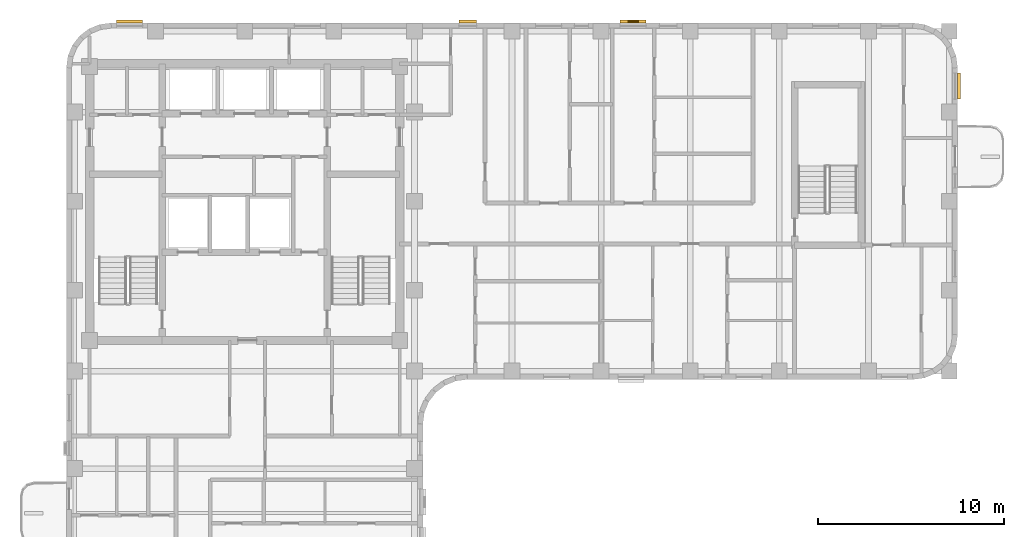
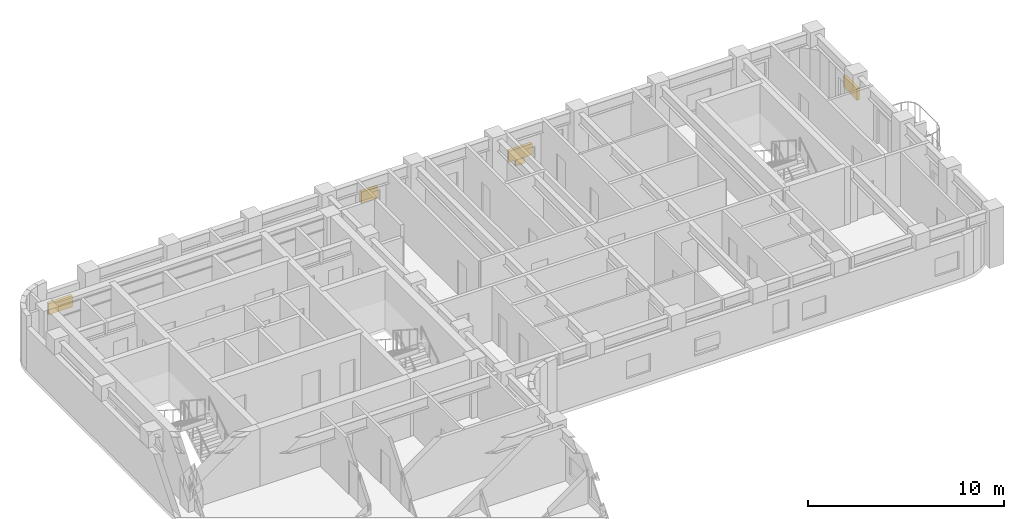
# One storey, part 10 of 10: 5 shading devices.
"""IFC4 building model written with IfcOpenShell, lengths in metres."""

from ifc_helpers import new_model, si_unit, direction, frame, origin, origin_2d, place, context, subcontext, project, spatial, rectangle, extrude, material, type_object, element, save


model = new_model("IFC4")

# Units and contexts
model_context = context("Model", 3, precision=1e-05, world=origin(), true_north=direction((0.0, 1.0)))
body_context = subcontext(model_context, "Body", "Model", "MODEL_VIEW")
ifc_project = project(units=[si_unit("LENGTHUNIT", "METRE"), si_unit("AREAUNIT", "SQUARE_METRE"), si_unit("VOLUMEUNIT", "CUBIC_METRE"), si_unit("PLANEANGLEUNIT", "RADIAN"), si_unit("MASSUNIT", "GRAM", prefix="KILO")], contexts=[model_context])

# Site, building, storey
site_placement = place(None, origin())
site = spatial("IfcSite", under=ifc_project, at=site_placement, CompositionType="ELEMENT")
building_placement = place(site_placement, origin())
building = spatial("IfcBuilding", under=site, at=building_placement, Name="Orvandelia Arch Residences", CompositionType="ELEMENT")
storey_placement = place(building_placement, frame((0.0, 0.0, 218.199951171875)))
storey = spatial("IfcBuildingStorey", under=building, at=storey_placement, Name="L57", CompositionType="ELEMENT", Elevation=218.199951171875)

# Shading devices
ifc_material_1 = material(Name="Anodised Champagne-Bronze Extruded Aluminium", Category="aluminium")
shading_device_type_1 = type_object("IfcShadingDeviceType", Name="SHD-JALOUSIE-SCREEN", PredefinedType="JALOUSIE", material=ifc_material_1)
shading_device_1_placement = place(storey_placement, frame((26.4150390625, 48.080078125, 1.55029296875), z_axis=(0.0, 0.0, 1.0), x_axis=(1.0, 0.0, 0.0)))
element("IfcShadingDevice", 1, at=shading_device_1_placement, inside=storey, type_object=shading_device_type_1, Name="Bronze Jalousie Sun-Shade L57-001", PredefinedType="JALOUSIE", context=body_context, shape_type="SweptSolid", body=[
    extrude(rectangle(XDim=0.949951171875, YDim=0.159912109375, at=origin_2d()), origin(), (0.0, 0.0, 1.0), 0.699951171875),
])
for number, where, z_axis, x_axis, name in (
    (2, (8.20751953125, 48.080078125, 1.05029296875), (0.0, 0.0, 1.0), (1.0, 0.0, 0.0), "Bronze Jalousie Sun-Shade L57-002"),
    (3, (35.330078125, 48.080078125, 1.05029296875), (0.0, 0.0, 1.0), (1.0, 0.0, 0.0), "Bronze Jalousie Sun-Shade L57-003"),
    (4, (52.8798828125, 44.592529296875, 1.05029296875), (0.0, 0.0, 1.0), (0.0, -1.0, 0.0), "Bronze Jalousie Sun-Shade L57-004"),
):
    element("IfcShadingDevice", number, at=place(storey_placement, frame(where, z_axis=z_axis, x_axis=x_axis)), inside=storey, type_object=shading_device_type_1, Name=name, PredefinedType="JALOUSIE", context=body_context, shape_type="SweptSolid", body=[
        extrude(rectangle(XDim=1.39990234375, YDim=0.159912109375, at=origin_2d()), origin(), (0.0, 0.0, 1.0), 0.699951171875),
    ])
ifc_material_2 = material(Name="Marine-Grade Perforated Aluminium Storm Shutter", Category="aluminium")
shading_device_type_2 = type_object("IfcShadingDeviceType", Name="SHD-STORM-SHUTTER", PredefinedType="SHUTTER", material=ifc_material_2)
shading_device_2_placement = place(storey_placement, frame((35.330078125, 48.080078125, 0.64990234375), z_axis=(0.0, 0.0, 1.0), x_axis=(1.0, 0.0, 0.0)))
element("IfcShadingDevice", 5, at=shading_device_2_placement, inside=storey, type_object=shading_device_type_2, Name="Operable Typhoon Storm Shutter L57-003", PredefinedType="SHUTTER", context=body_context, shape_type="SweptSolid", body=[
    extrude(rectangle(XDim=0.550048828125, YDim=0.080078125, at=origin_2d()), origin(), (0.0, 0.0, 1.0), 1.10009765625),
])

save(model, "model.ifc")
